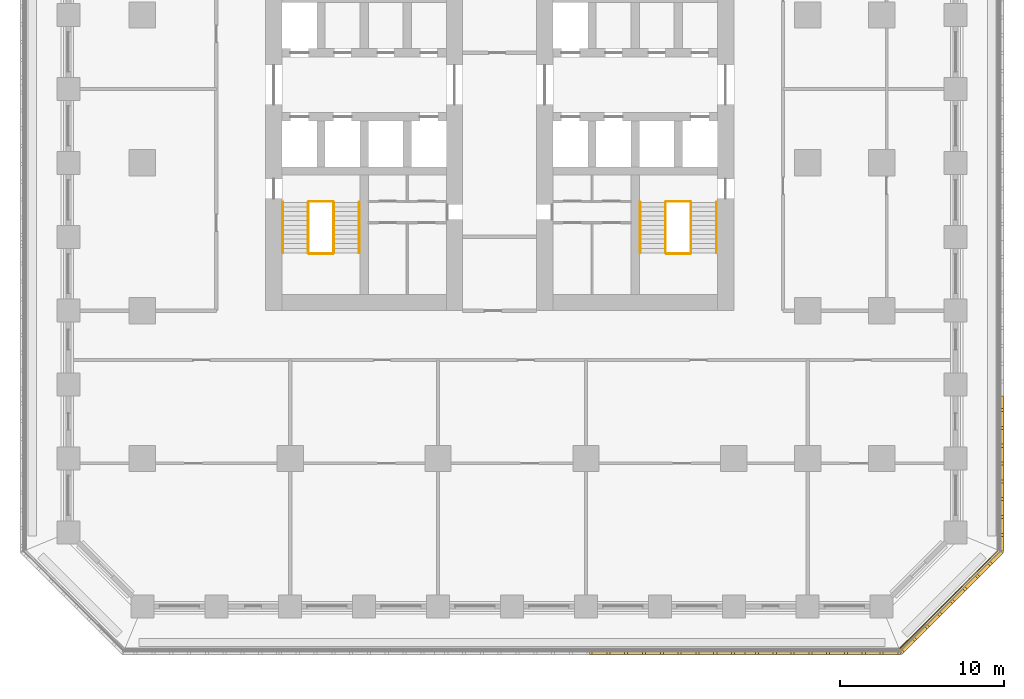
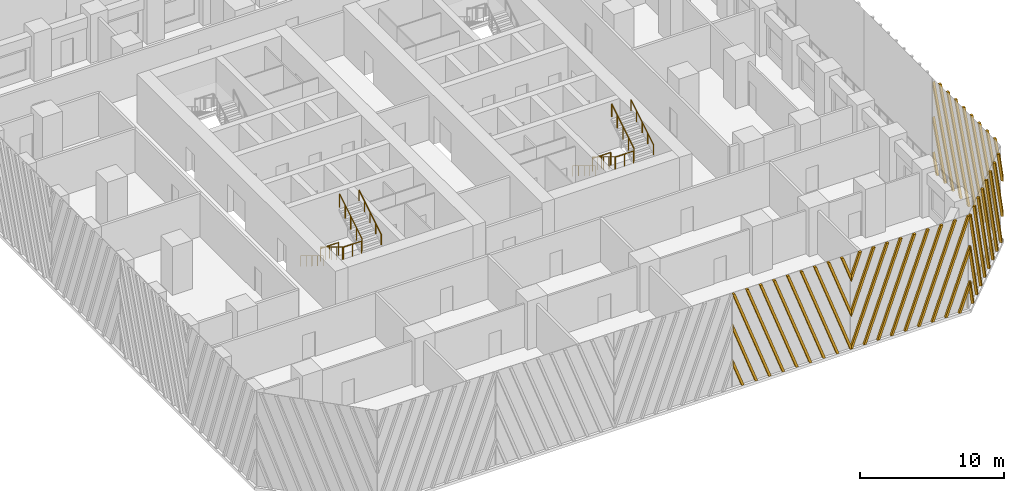
# One storey, part 10 of 14: 13 railings, 4 shading devices.
"""IFC4 building model written with IfcOpenShell, lengths in metres."""

from ifc_helpers import new_model, si_unit, direction, frame, origin, origin_2d, place, context, subcontext, project, spatial, polyline, circle, outline, extrude, source, transform, mapped, material, type_object, element, save


model = new_model("IFC4")

# Units and contexts
model_context = context("Model", 3, precision=1e-05, world=origin(), true_north=direction((0.0, 1.0)))
body_context = subcontext(model_context, "Body", "Model", "MODEL_VIEW")
ifc_project = project(units=[si_unit("LENGTHUNIT", "METRE"), si_unit("AREAUNIT", "SQUARE_METRE"), si_unit("VOLUMEUNIT", "CUBIC_METRE"), si_unit("PLANEANGLEUNIT", "RADIAN"), si_unit("MASSUNIT", "GRAM", prefix="KILO")], contexts=[model_context])

# Site, building, storey
site_placement = place(None, origin())
site = spatial("IfcSite", under=ifc_project, at=site_placement, CompositionType="ELEMENT")
building_placement = place(site_placement, origin())
building = spatial("IfcBuilding", under=site, at=building_placement, Name="Corbel Stack Research Tower", CompositionType="ELEMENT")
storey_placement = place(building_placement, frame((0.0, 0.0, 58.300048828125)))
storey = spatial("IfcBuildingStorey", under=building, at=storey_placement, Name="L13", CompositionType="ELEMENT", Elevation=58.300048828125)

# Railings
ifc_material_1 = material(Name="Steel S355", Category="steel")
railing_type_1 = type_object("IfcRailingType", Name="Stair guard 1100", PredefinedType="GUARDRAIL", material=ifc_material_1)
railing_1_placement = place(storey_placement, frame((-7.89990234375, -2.39990234375, 0.1708984375)))
element("IfcRailing", 1, at=railing_1_placement, inside=storey, type_object=railing_type_1, Name="L13 ST-W1 stair guard 1", PredefinedType="GUARDRAIL", context=body_context, shape_type="SweptSolid", body=[
    extrude(circle(Radius=0.02392578125, at=origin_2d()), frame((0.0, 0.0, 1.076171875), z_axis=(0.0, -0.853666305674, 0.52082035152), x_axis=(1.0, 0.0, 0.0)), (0.0, 0.0, 1.0), 3.608154296875),
    extrude(circle(Radius=0.02099609375, at=origin_2d()), origin(), (0.0, 0.0, 1.0), 1.052001953125),
    extrude(circle(Radius=0.02099609375, at=origin_2d()), frame((0.0, -0.77001953125, 0.4697265625)), (0.0, 0.0, 1.0), 1.052001953125),
    extrude(circle(Radius=0.02099609375, at=origin_2d()), frame((0.0, -1.5400390625, 0.939453125)), (0.0, 0.0, 1.0), 1.052001953125),
    extrude(circle(Radius=0.02099609375, at=origin_2d()), frame((0.0, -2.31005859375, 1.409423828125)), (0.0, 0.0, 1.0), 1.052001953125),
    extrude(circle(Radius=0.02099609375, at=origin_2d()), frame((0.0, -3.080078125, 1.879150390625)), (0.0, 0.0, 1.0), 1.052001953125),
])
railing_2_placement = place(storey_placement, frame((-7.85009765625, -5.530029296875, 2.050048828125)))
element("IfcRailing", 2, at=railing_2_placement, inside=storey, type_object=railing_type_1, Name="L13 ST-W1 stair guard 2", PredefinedType="GUARDRAIL", context=body_context, shape_type="SweptSolid", body=[
    extrude(circle(Radius=0.02392578125, at=origin_2d()), frame((0.0, 0.0, 1.076171875), z_axis=(1.0, 0.0, 0.0), x_axis=(0.0, 1.0, 0.0)), (0.0, 0.0, 1.0), 1.4501953125),
    extrude(circle(Radius=0.02099609375, at=origin_2d()), origin(), (0.0, 0.0, 1.0), 1.052001953125),
    extrude(circle(Radius=0.02099609375, at=origin_2d()), frame((0.72509765625, 0.0, 0.0)), (0.0, 0.0, 1.0), 1.052001953125),
    extrude(circle(Radius=0.02099609375, at=origin_2d()), frame((1.4501953125, 0.0, 0.0)), (0.0, 0.0, 1.0), 1.052001953125),
])
railing_3_placement = place(storey_placement, frame((-6.35009765625, -5.47998046875, 2.220703125)))
element("IfcRailing", 3, at=railing_3_placement, inside=storey, type_object=railing_type_1, Name="L13 ST-W1 stair guard 3", PredefinedType="GUARDRAIL", context=body_context, shape_type="SweptSolid", body=[
    extrude(circle(Radius=0.02392578125, at=origin_2d()), frame((0.0, 0.0, 1.076171875), z_axis=(0.0, 0.853666305674, 0.52082035152), x_axis=(-1.0, 0.0, 0.0)), (0.0, 0.0, 1.0), 3.608154296875),
    extrude(circle(Radius=0.02099609375, at=origin_2d()), origin(), (0.0, 0.0, 1.0), 1.052001953125),
    extrude(circle(Radius=0.02099609375, at=origin_2d()), frame((0.0, 0.77001953125, 0.4697265625)), (0.0, 0.0, 1.0), 1.052001953125),
    extrude(circle(Radius=0.02099609375, at=origin_2d()), frame((0.0, 1.5400390625, 0.939453125)), (0.0, 0.0, 1.0), 1.052001953125),
    extrude(circle(Radius=0.02099609375, at=origin_2d()), frame((0.0, 2.31005859375, 1.409423828125)), (0.0, 0.0, 1.0), 1.052001953125),
    extrude(circle(Radius=0.02099609375, at=origin_2d()), frame((0.0, 3.080078125, 1.879150390625)), (0.0, 0.0, 1.0), 1.052001953125),
])
railing_4_placement = place(storey_placement, frame((-7.85009765625, -2.35009765625, 0.0)))
element("IfcRailing", 4, at=railing_4_placement, inside=storey, type_object=railing_type_1, Name="L13 ST-W1 stair guard 4", PredefinedType="GUARDRAIL", context=body_context, shape_type="SweptSolid", body=[
    extrude(circle(Radius=0.02392578125, at=origin_2d()), frame((0.0, 0.0, 1.076171875), z_axis=(1.0, 0.0, 0.0), x_axis=(0.0, 1.0, 0.0)), (0.0, 0.0, 1.0), 1.4501953125),
    extrude(circle(Radius=0.02099609375, at=origin_2d()), origin(), (0.0, 0.0, 1.0), 1.052001953125),
    extrude(circle(Radius=0.02099609375, at=origin_2d()), frame((0.72509765625, 0.0, 0.0)), (0.0, 0.0, 1.0), 1.052001953125),
    extrude(circle(Radius=0.02099609375, at=origin_2d()), frame((1.4501953125, 0.0, 0.0)), (0.0, 0.0, 1.0), 1.052001953125),
])
railing_5_placement = place(storey_placement, frame((13.85009765625, -2.39990234375, 0.1708984375)))
element("IfcRailing", 5, at=railing_5_placement, inside=storey, type_object=railing_type_1, Name="L13 ST-E1 stair guard 1", PredefinedType="GUARDRAIL", context=body_context, shape_type="SweptSolid", body=[
    extrude(circle(Radius=0.02392578125, at=origin_2d()), frame((0.0, 0.0, 1.076171875), z_axis=(0.0, -0.853666305674, 0.52082035152), x_axis=(1.0, 0.0, 0.0)), (0.0, 0.0, 1.0), 3.608154296875),
    extrude(circle(Radius=0.02099609375, at=origin_2d()), origin(), (0.0, 0.0, 1.0), 1.052001953125),
    extrude(circle(Radius=0.02099609375, at=origin_2d()), frame((0.0, -0.77001953125, 0.4697265625)), (0.0, 0.0, 1.0), 1.052001953125),
    extrude(circle(Radius=0.02099609375, at=origin_2d()), frame((0.0, -1.5400390625, 0.939453125)), (0.0, 0.0, 1.0), 1.052001953125),
    extrude(circle(Radius=0.02099609375, at=origin_2d()), frame((0.0, -2.31005859375, 1.409423828125)), (0.0, 0.0, 1.0), 1.052001953125),
    extrude(circle(Radius=0.02099609375, at=origin_2d()), frame((0.0, -3.080078125, 1.879150390625)), (0.0, 0.0, 1.0), 1.052001953125),
])
railing_6_placement = place(storey_placement, frame((13.89990234375, -5.530029296875, 2.050048828125)))
element("IfcRailing", 6, at=railing_6_placement, inside=storey, type_object=railing_type_1, Name="L13 ST-E1 stair guard 2", PredefinedType="GUARDRAIL", context=body_context, shape_type="SweptSolid", body=[
    extrude(circle(Radius=0.02392578125, at=origin_2d()), frame((0.0, 0.0, 1.076171875), z_axis=(1.0, 0.0, 0.0), x_axis=(0.0, 1.0, 0.0)), (0.0, 0.0, 1.0), 1.4501953125),
    extrude(circle(Radius=0.02099609375, at=origin_2d()), origin(), (0.0, 0.0, 1.0), 1.052001953125),
    extrude(circle(Radius=0.02099609375, at=origin_2d()), frame((0.72509765625, 0.0, 0.0)), (0.0, 0.0, 1.0), 1.052001953125),
    extrude(circle(Radius=0.02099609375, at=origin_2d()), frame((1.4501953125, 0.0, 0.0)), (0.0, 0.0, 1.0), 1.052001953125),
])
railing_7_placement = place(storey_placement, frame((15.39990234375, -5.47998046875, 2.220703125)))
element("IfcRailing", 7, at=railing_7_placement, inside=storey, type_object=railing_type_1, Name="L13 ST-E1 stair guard 3", PredefinedType="GUARDRAIL", context=body_context, shape_type="SweptSolid", body=[
    extrude(circle(Radius=0.02392578125, at=origin_2d()), frame((0.0, 0.0, 1.076171875), z_axis=(0.0, 0.853666305674, 0.52082035152), x_axis=(-1.0, 0.0, 0.0)), (0.0, 0.0, 1.0), 3.608154296875),
    extrude(circle(Radius=0.02099609375, at=origin_2d()), origin(), (0.0, 0.0, 1.0), 1.052001953125),
    extrude(circle(Radius=0.02099609375, at=origin_2d()), frame((0.0, 0.77001953125, 0.4697265625)), (0.0, 0.0, 1.0), 1.052001953125),
    extrude(circle(Radius=0.02099609375, at=origin_2d()), frame((0.0, 1.5400390625, 0.939453125)), (0.0, 0.0, 1.0), 1.052001953125),
    extrude(circle(Radius=0.02099609375, at=origin_2d()), frame((0.0, 2.31005859375, 1.409423828125)), (0.0, 0.0, 1.0), 1.052001953125),
    extrude(circle(Radius=0.02099609375, at=origin_2d()), frame((0.0, 3.080078125, 1.879150390625)), (0.0, 0.0, 1.0), 1.052001953125),
])
railing_8_placement = place(storey_placement, frame((13.89990234375, -2.35009765625, 0.0)))
element("IfcRailing", 8, at=railing_8_placement, inside=storey, type_object=railing_type_1, Name="L13 ST-E1 stair guard 4", PredefinedType="GUARDRAIL", context=body_context, shape_type="SweptSolid", body=[
    extrude(circle(Radius=0.02392578125, at=origin_2d()), frame((0.0, 0.0, 1.076171875), z_axis=(1.0, 0.0, 0.0), x_axis=(0.0, 1.0, 0.0)), (0.0, 0.0, 1.0), 1.4501953125),
    extrude(circle(Radius=0.02099609375, at=origin_2d()), origin(), (0.0, 0.0, 1.0), 1.052001953125),
    extrude(circle(Radius=0.02099609375, at=origin_2d()), frame((0.72509765625, 0.0, 0.0)), (0.0, 0.0, 1.0), 1.052001953125),
    extrude(circle(Radius=0.02099609375, at=origin_2d()), frame((1.4501953125, 0.0, 0.0)), (0.0, 0.0, 1.0), 1.052001953125),
])
ifc_material_2 = material(Name="Steel S355", Category="steel")
railing_type_2 = type_object("IfcRailingType", Name="Stair handrail 900", PredefinedType="HANDRAIL", material=ifc_material_2)
railing_9_placement = place(storey_placement, frame((-9.449951171875, -2.39990234375, 0.1708984375)))
element("IfcRailing", 9, at=railing_9_placement, inside=storey, type_object=railing_type_2, Name="L13 ST-W1 stair handrail 1", PredefinedType="HANDRAIL", context=body_context, shape_type="SweptSolid", body=[
    extrude(circle(Radius=0.02392578125, at=origin_2d()), frame((0.0, 0.0, 0.8759765625), z_axis=(0.0, -0.853666305674, 0.52082035152), x_axis=(1.0, 0.0, 0.0)), (0.0, 0.0, 1.0), 3.608154296875),
    extrude(circle(Radius=0.02099609375, at=origin_2d()), origin(), (0.0, 0.0, 1.0), 0.851806640625),
    extrude(circle(Radius=0.02099609375, at=origin_2d()), frame((0.0, -0.77001953125, 0.4697265625)), (0.0, 0.0, 1.0), 0.851806640625),
    extrude(circle(Radius=0.02099609375, at=origin_2d()), frame((0.0, -1.5400390625, 0.939453125)), (0.0, 0.0, 1.0), 0.851806640625),
    extrude(circle(Radius=0.02099609375, at=origin_2d()), frame((0.0, -2.31005859375, 1.409423828125)), (0.0, 0.0, 1.0), 0.851806640625),
    extrude(circle(Radius=0.02099609375, at=origin_2d()), frame((0.0, -3.080078125, 1.879150390625)), (0.0, 0.0, 1.0), 0.851806640625),
])
railing_10_placement = place(storey_placement, frame((-4.800048828125, -5.47998046875, 2.220703125)))
element("IfcRailing", 10, at=railing_10_placement, inside=storey, type_object=railing_type_2, Name="L13 ST-W1 stair handrail 2", PredefinedType="HANDRAIL", context=body_context, shape_type="SweptSolid", body=[
    extrude(circle(Radius=0.02392578125, at=origin_2d()), frame((0.0, 0.0, 0.8759765625), z_axis=(0.0, 0.853666305674, 0.52082035152), x_axis=(-1.0, 0.0, 0.0)), (0.0, 0.0, 1.0), 3.608154296875),
    extrude(circle(Radius=0.02099609375, at=origin_2d()), origin(), (0.0, 0.0, 1.0), 0.851806640625),
    extrude(circle(Radius=0.02099609375, at=origin_2d()), frame((0.0, 0.77001953125, 0.4697265625)), (0.0, 0.0, 1.0), 0.851806640625),
    extrude(circle(Radius=0.02099609375, at=origin_2d()), frame((0.0, 1.5400390625, 0.939453125)), (0.0, 0.0, 1.0), 0.851806640625),
    extrude(circle(Radius=0.02099609375, at=origin_2d()), frame((0.0, 2.31005859375, 1.409423828125)), (0.0, 0.0, 1.0), 0.851806640625),
    extrude(circle(Radius=0.02099609375, at=origin_2d()), frame((0.0, 3.080078125, 1.879150390625)), (0.0, 0.0, 1.0), 0.851806640625),
])
railing_11_placement = place(storey_placement, frame((12.300048828125, -2.39990234375, 0.1708984375)))
element("IfcRailing", 11, at=railing_11_placement, inside=storey, type_object=railing_type_2, Name="L13 ST-E1 stair handrail 1", PredefinedType="HANDRAIL", context=body_context, shape_type="SweptSolid", body=[
    extrude(circle(Radius=0.02392578125, at=origin_2d()), frame((0.0, 0.0, 0.8759765625), z_axis=(0.0, -0.853666305674, 0.52082035152), x_axis=(1.0, 0.0, 0.0)), (0.0, 0.0, 1.0), 3.608154296875),
    extrude(circle(Radius=0.02099609375, at=origin_2d()), origin(), (0.0, 0.0, 1.0), 0.851806640625),
    extrude(circle(Radius=0.02099609375, at=origin_2d()), frame((0.0, -0.77001953125, 0.4697265625)), (0.0, 0.0, 1.0), 0.851806640625),
    extrude(circle(Radius=0.02099609375, at=origin_2d()), frame((0.0, -1.5400390625, 0.939453125)), (0.0, 0.0, 1.0), 0.851806640625),
    extrude(circle(Radius=0.02099609375, at=origin_2d()), frame((0.0, -2.31005859375, 1.409423828125)), (0.0, 0.0, 1.0), 0.851806640625),
    extrude(circle(Radius=0.02099609375, at=origin_2d()), frame((0.0, -3.080078125, 1.879150390625)), (0.0, 0.0, 1.0), 0.851806640625),
])
railing_12_placement = place(storey_placement, frame((16.949951171875, -5.47998046875, 2.220703125)))
element("IfcRailing", 12, at=railing_12_placement, inside=storey, type_object=railing_type_2, Name="L13 ST-E1 stair handrail 2", PredefinedType="HANDRAIL", context=body_context, shape_type="SweptSolid", body=[
    extrude(circle(Radius=0.02392578125, at=origin_2d()), frame((0.0, 0.0, 0.8759765625), z_axis=(0.0, 0.853666305674, 0.52082035152), x_axis=(-1.0, 0.0, 0.0)), (0.0, 0.0, 1.0), 3.608154296875),
    extrude(circle(Radius=0.02099609375, at=origin_2d()), origin(), (0.0, 0.0, 1.0), 0.851806640625),
    extrude(circle(Radius=0.02099609375, at=origin_2d()), frame((0.0, 0.77001953125, 0.4697265625)), (0.0, 0.0, 1.0), 0.851806640625),
    extrude(circle(Radius=0.02099609375, at=origin_2d()), frame((0.0, 1.5400390625, 0.939453125)), (0.0, 0.0, 1.0), 0.851806640625),
    extrude(circle(Radius=0.02099609375, at=origin_2d()), frame((0.0, 2.31005859375, 1.409423828125)), (0.0, 0.0, 1.0), 0.851806640625),
    extrude(circle(Radius=0.02099609375, at=origin_2d()), frame((0.0, 3.080078125, 1.879150390625)), (0.0, 0.0, 1.0), 0.851806640625),
])
ifc_material_3 = material(Name="Powder-coated steel guard", Category="steel")
railing_type_3 = type_object("IfcRailingType", Name="Steel and glass guard 1100", PredefinedType="GUARDRAIL", material=ifc_material_3)
railing_13_placement = place(storey_placement, frame((28.127685546875, -29.54931640625, 0.0)))
element("IfcRailing", 13, at=railing_13_placement, inside=storey, type_object=railing_type_3, Name="Loggia guard L13 SE", PredefinedType="GUARDRAIL", context=body_context, shape_type="SweptSolid", body=[
    extrude(circle(Radius=0.02392578125, at=origin_2d()), frame((0.0, 0.0, 1.076171875), z_axis=(0.707106781187, 0.707106781187, 0.0), x_axis=(-0.707106781187, 0.707106781187, 0.0)), (0.0, 0.0, 1.0), 8.37451171875),
    extrude(circle(Radius=0.02099609375, at=origin_2d()), origin(), (0.0, 0.0, 1.0), 1.052001953125),
    extrude(circle(Radius=0.02099609375, at=origin_2d()), frame((0.845947265625, 0.845947265625, 0.0)), (0.0, 0.0, 1.0), 1.052001953125),
    extrude(circle(Radius=0.02099609375, at=origin_2d()), frame((1.69189453125, 1.69189453125, 0.0)), (0.0, 0.0, 1.0), 1.052001953125),
    extrude(circle(Radius=0.02099609375, at=origin_2d()), frame((2.537841796875, 2.537841796875, 0.0)), (0.0, 0.0, 1.0), 1.052001953125),
    extrude(circle(Radius=0.02099609375, at=origin_2d()), frame((3.3837890625, 3.3837890625, 0.0)), (0.0, 0.0, 1.0), 1.052001953125),
    extrude(circle(Radius=0.02099609375, at=origin_2d()), frame((4.229736328125, 4.229736328125, 0.0)), (0.0, 0.0, 1.0), 1.052001953125),
    extrude(circle(Radius=0.02099609375, at=origin_2d()), frame((5.07568359375, 5.07568359375, 0.0)), (0.0, 0.0, 1.0), 1.052001953125),
    extrude(circle(Radius=0.02099609375, at=origin_2d()), frame((5.921630859375, 5.921630859375, 0.0)), (0.0, 0.0, 1.0), 1.052001953125),
])

# Shading devices
ifc_material_4 = material(Name="Precast terracotta", Category="masonry")
shading_device_type = type_object("IfcShadingDeviceType", Name="Terracotta screen panel", PredefinedType="USERDEFINED", material=ifc_material_4)
shared_shape_1 = source(origin(), body_context, "Body", "SweptSolid", [
    extrude(outline(polyline([(0.819091796875, 7.949951171875), (0.629150390625, 7.949951171875), (0.0, 6.22119140625), (0.0, 5.69921875), (0.819091796875, 7.949951171875)])), frame((0.0, 0.0, 0.0), z_axis=(0.0, -1.0, 0.0), x_axis=(1.0, 0.0, 0.0)), (0.0, 0.0, 1.0), 0.179931640625),
    extrude(outline(polyline([(1.90380859375, 7.949951171875), (1.7138671875, 7.949951171875), (0.0, 3.2412109375), (0.0, 2.718994140625), (1.90380859375, 7.949951171875)])), frame((0.0, 0.0, 0.0), z_axis=(0.0, -1.0, 0.0), x_axis=(1.0, 0.0, 0.0)), (0.0, 0.0, 1.0), 0.179931640625),
    extrude(outline(polyline([(0.094970703125, 0.0), (2.988525390625, 7.949951171875), (2.798583984375, 7.949951171875), (0.0, 0.260986328125), (0.0, 0.0), (0.094970703125, 0.0)])), frame((0.0, 0.0, 0.0), z_axis=(0.0, -1.0, 0.0), x_axis=(1.0, 0.0, 0.0)), (0.0, 0.0, 1.0), 0.179931640625),
    extrude(outline(polyline([(1.1796875, 0.0), (4.0732421875, 7.949951171875), (3.88330078125, 7.949951171875), (0.98974609375, 0.0), (1.1796875, 0.0)])), frame((0.0, 0.0, 0.0), z_axis=(0.0, -1.0, 0.0), x_axis=(1.0, 0.0, 0.0)), (0.0, 0.0, 1.0), 0.179931640625),
    extrude(outline(polyline([(2.264404296875, 0.0), (5.157958984375, 7.949951171875), (4.968017578125, 7.949951171875), (2.07421875, 0.0), (2.264404296875, 0.0)])), frame((0.0, 0.0, 0.0), z_axis=(0.0, -1.0, 0.0), x_axis=(1.0, 0.0, 0.0)), (0.0, 0.0, 1.0), 0.179931640625),
    extrude(outline(polyline([(3.34912109375, 0.0), (6.24267578125, 7.949951171875), (6.052490234375, 7.949951171875), (3.158935546875, 0.0), (3.34912109375, 0.0)])), frame((0.0, 0.0, 0.0), z_axis=(0.0, -1.0, 0.0), x_axis=(1.0, 0.0, 0.0)), (0.0, 0.0, 1.0), 0.179931640625),
    extrude(outline(polyline([(4.43359375, 0.0), (7.3271484375, 7.949951171875), (7.13720703125, 7.949951171875), (4.24365234375, 0.0), (4.43359375, 0.0)])), frame((0.0, 0.0, 0.0), z_axis=(0.0, -1.0, 0.0), x_axis=(1.0, 0.0, 0.0)), (0.0, 0.0, 1.0), 0.179931640625),
    extrude(outline(polyline([(5.518310546875, 0.0), (8.411865234375, 7.949951171875), (8.221923828125, 7.949951171875), (5.328369140625, 0.0), (5.518310546875, 0.0)])), frame((0.0, 0.0, 0.0), z_axis=(0.0, -1.0, 0.0), x_axis=(1.0, 0.0, 0.0)), (0.0, 0.0, 1.0), 0.179931640625),
    extrude(outline(polyline([(6.60302734375, 0.0), (9.45556640625, 7.837646484375), (9.45556640625, 7.949951171875), (9.306640625, 7.949951171875), (6.4130859375, 0.0), (6.60302734375, 0.0)])), frame((0.0, 0.0, 0.0), z_axis=(0.0, -1.0, 0.0), x_axis=(1.0, 0.0, 0.0)), (0.0, 0.0, 1.0), 0.179931640625),
    extrude(outline(polyline([(7.687744140625, 0.0), (9.45556640625, 4.857421875), (9.45556640625, 5.37939453125), (7.497802734375, 0.0), (7.687744140625, 0.0)])), frame((0.0, 0.0, 0.0), z_axis=(0.0, -1.0, 0.0), x_axis=(1.0, 0.0, 0.0)), (0.0, 0.0, 1.0), 0.179931640625),
    extrude(outline(polyline([(8.772216796875, 0.0), (9.45556640625, 1.87744140625), (9.45556640625, 2.3994140625), (8.582275390625, 0.0), (8.772216796875, 0.0)])), frame((0.0, 0.0, 0.0), z_axis=(0.0, -1.0, 0.0), x_axis=(1.0, 0.0, 0.0)), (0.0, 0.0, 1.0), 0.179931640625),
])
shading_device_1_placement = place(storey_placement, frame((18.68359375, -29.75, 0.0), z_axis=(0.0, 0.0, 1.0), x_axis=(1.0, 0.0, 0.0)))
element("IfcShadingDevice", 14, at=shading_device_1_placement, inside=storey, type_object=shading_device_type, Name="Terracotta screen L13 S5", ObjectType="SCREEN", PredefinedType="USERDEFINED", context=body_context, shape_type="MappedRepresentation", body=[
    mapped(shared_shape_1, transform((0.0, 0.0, 0.0))),
])
shared_shape_2 = source(origin(), body_context, "Body", "SweptSolid", [
    extrude(outline(polyline([(0.873291015625, 0.0), (0.0, 2.3994140625), (0.0, 1.87744140625), (0.683349609375, 0.0), (0.873291015625, 0.0)])), frame((0.0, 0.0, 0.0), z_axis=(0.0, -1.0, 0.0), x_axis=(1.0, 0.0, 0.0)), (0.0, 0.0, 1.0), 0.179931640625),
    extrude(outline(polyline([(1.9580078125, 0.0), (0.0, 5.37939453125), (0.0, 4.857421875), (1.76806640625, 0.0), (1.9580078125, 0.0)])), frame((0.0, 0.0, 0.0), z_axis=(0.0, -1.0, 0.0), x_axis=(1.0, 0.0, 0.0)), (0.0, 0.0, 1.0), 0.179931640625),
    extrude(outline(polyline([(3.04248046875, 0.0), (0.149169921875, 7.949951171875), (0.0, 7.949951171875), (0.0, 7.837646484375), (2.8525390625, 0.0), (3.04248046875, 0.0)])), frame((0.0, 0.0, 0.0), z_axis=(0.0, -1.0, 0.0), x_axis=(1.0, 0.0, 0.0)), (0.0, 0.0, 1.0), 0.179931640625),
    extrude(outline(polyline([(4.127197265625, 0.0), (1.233642578125, 7.949951171875), (1.043701171875, 7.949951171875), (3.937255859375, 0.0), (4.127197265625, 0.0)])), frame((0.0, 0.0, 0.0), z_axis=(0.0, -1.0, 0.0), x_axis=(1.0, 0.0, 0.0)), (0.0, 0.0, 1.0), 0.179931640625),
    extrude(outline(polyline([(5.2119140625, 0.0), (2.318359375, 7.949951171875), (2.12841796875, 7.949951171875), (5.02197265625, 0.0), (5.2119140625, 0.0)])), frame((0.0, 0.0, 0.0), z_axis=(0.0, -1.0, 0.0), x_axis=(1.0, 0.0, 0.0)), (0.0, 0.0, 1.0), 0.179931640625),
    extrude(outline(polyline([(6.296630859375, 0.0), (3.403076171875, 7.949951171875), (3.213134765625, 7.949951171875), (6.106689453125, 0.0), (6.296630859375, 0.0)])), frame((0.0, 0.0, 0.0), z_axis=(0.0, -1.0, 0.0), x_axis=(1.0, 0.0, 0.0)), (0.0, 0.0, 1.0), 0.179931640625),
    extrude(outline(polyline([(7.38134765625, 0.0), (4.48779296875, 7.949951171875), (4.297607421875, 7.949951171875), (7.19140625, 0.0), (7.38134765625, 0.0)])), frame((0.0, 0.0, 0.0), z_axis=(0.0, -1.0, 0.0), x_axis=(1.0, 0.0, 0.0)), (0.0, 0.0, 1.0), 0.179931640625),
    extrude(outline(polyline([(8.466064453125, 0.0), (5.572509765625, 7.949951171875), (5.38232421875, 7.949951171875), (8.27587890625, 0.0), (8.466064453125, 0.0)])), frame((0.0, 0.0, 0.0), z_axis=(0.0, -1.0, 0.0), x_axis=(1.0, 0.0, 0.0)), (0.0, 0.0, 1.0), 0.179931640625),
    extrude(outline(polyline([(9.45556640625, 0.0), (9.45556640625, 0.260986328125), (6.656982421875, 7.949951171875), (6.467041015625, 7.949951171875), (9.360595703125, 0.0), (9.45556640625, 0.0)])), frame((0.0, 0.0, 0.0), z_axis=(0.0, -1.0, 0.0), x_axis=(1.0, 0.0, 0.0)), (0.0, 0.0, 1.0), 0.179931640625),
    extrude(outline(polyline([(7.74169921875, 7.949951171875), (7.5517578125, 7.949951171875), (9.45556640625, 2.718994140625), (9.45556640625, 3.2412109375), (7.74169921875, 7.949951171875)])), frame((0.0, 0.0, 0.0), z_axis=(0.0, -1.0, 0.0), x_axis=(1.0, 0.0, 0.0)), (0.0, 0.0, 1.0), 0.179931640625),
    extrude(outline(polyline([(8.826416015625, 7.949951171875), (8.636474609375, 7.949951171875), (9.45556640625, 5.69921875), (9.45556640625, 6.22119140625), (8.826416015625, 7.949951171875)])), frame((0.0, 0.0, 0.0), z_axis=(0.0, -1.0, 0.0), x_axis=(1.0, 0.0, 0.0)), (0.0, 0.0, 1.0), 0.179931640625),
])
shading_device_2_placement = place(storey_placement, frame((9.227783203125, -29.75, 0.0), z_axis=(0.0, 0.0, 1.0), x_axis=(1.0, 0.0, 0.0)))
element("IfcShadingDevice", 15, at=shading_device_2_placement, inside=storey, type_object=shading_device_type, Name="Terracotta screen L13 S4", ObjectType="SCREEN", PredefinedType="USERDEFINED", context=body_context, shape_type="MappedRepresentation", body=[
    mapped(shared_shape_2, transform((0.0, 0.0, 0.0))),
])
shared_shape_3 = source(origin(), body_context, "Body", "SweptSolid", [
    extrude(outline(polyline([(1.09033203125, 7.949951171875), (0.900390625, 7.949951171875), (0.0, 5.476318359375), (0.0, 4.9541015625), (1.09033203125, 7.949951171875)])), frame((0.0, 0.0, 0.0), z_axis=(0.0, -1.0, 0.0), x_axis=(1.0, 0.0, 0.0)), (0.0, 0.0, 1.0), 0.179931640625),
    extrude(outline(polyline([(2.175048828125, 7.949951171875), (1.985107421875, 7.949951171875), (0.0, 2.49609375), (0.0, 1.97412109375), (2.175048828125, 7.949951171875)])), frame((0.0, 0.0, 0.0), z_axis=(0.0, -1.0, 0.0), x_axis=(1.0, 0.0, 0.0)), (0.0, 0.0, 1.0), 0.179931640625),
    extrude(outline(polyline([(0.3662109375, 0.0), (3.259765625, 7.949951171875), (3.069580078125, 7.949951171875), (0.17626953125, 0.0), (0.3662109375, 0.0)])), frame((0.0, 0.0, 0.0), z_axis=(0.0, -1.0, 0.0), x_axis=(1.0, 0.0, 0.0)), (0.0, 0.0, 1.0), 0.179931640625),
    extrude(outline(polyline([(1.45068359375, 0.0), (4.344482421875, 7.949951171875), (4.154296875, 7.949951171875), (1.2607421875, 0.0), (1.45068359375, 0.0)])), frame((0.0, 0.0, 0.0), z_axis=(0.0, -1.0, 0.0), x_axis=(1.0, 0.0, 0.0)), (0.0, 0.0, 1.0), 0.179931640625),
    extrude(outline(polyline([(2.535400390625, 0.0), (5.42919921875, 7.949951171875), (5.239013671875, 7.949951171875), (2.345458984375, 0.0), (2.535400390625, 0.0)])), frame((0.0, 0.0, 0.0), z_axis=(0.0, -1.0, 0.0), x_axis=(1.0, 0.0, 0.0)), (0.0, 0.0, 1.0), 0.179931640625),
    extrude(outline(polyline([(3.6201171875, 0.0), (6.513671875, 7.949951171875), (6.32373046875, 7.949951171875), (3.43017578125, 0.0), (3.6201171875, 0.0)])), frame((0.0, 0.0, 0.0), z_axis=(0.0, -1.0, 0.0), x_axis=(1.0, 0.0, 0.0)), (0.0, 0.0, 1.0), 0.179931640625),
    extrude(outline(polyline([(4.704833984375, 0.0), (7.598388671875, 7.949951171875), (7.408447265625, 7.949951171875), (4.514892578125, 0.0), (4.704833984375, 0.0)])), frame((0.0, 0.0, 0.0), z_axis=(0.0, -1.0, 0.0), x_axis=(1.0, 0.0, 0.0)), (0.0, 0.0, 1.0), 0.179931640625),
    extrude(outline(polyline([(5.78955078125, 0.0), (8.68310546875, 7.949951171875), (8.4931640625, 7.949951171875), (5.599609375, 0.0), (5.78955078125, 0.0)])), frame((0.0, 0.0, 0.0), z_axis=(0.0, -1.0, 0.0), x_axis=(1.0, 0.0, 0.0)), (0.0, 0.0, 1.0), 0.179931640625),
    extrude(outline(polyline([(6.874267578125, 0.0), (9.45556640625, 7.092529296875), (9.45556640625, 7.614501953125), (6.68408203125, 0.0), (6.874267578125, 0.0)])), frame((0.0, 0.0, 0.0), z_axis=(0.0, -1.0, 0.0), x_axis=(1.0, 0.0, 0.0)), (0.0, 0.0, 1.0), 0.179931640625),
    extrude(outline(polyline([(7.958740234375, 0.0), (9.45556640625, 4.1123046875), (9.45556640625, 4.634521484375), (7.768798828125, 0.0), (7.958740234375, 0.0)])), frame((0.0, 0.0, 0.0), z_axis=(0.0, -1.0, 0.0), x_axis=(1.0, 0.0, 0.0)), (0.0, 0.0, 1.0), 0.179931640625),
    extrude(outline(polyline([(9.04345703125, 0.0), (9.45556640625, 1.13232421875), (9.45556640625, 1.654296875), (8.853515625, 0.0), (9.04345703125, 0.0)])), frame((0.0, 0.0, 0.0), z_axis=(0.0, -1.0, 0.0), x_axis=(1.0, 0.0, 0.0)), (0.0, 0.0, 1.0), 0.179931640625),
])
shading_device_3_placement = place(storey_placement, frame((34.25, -23.63916015625, 0.0), z_axis=(0.0, 0.0, 1.0), x_axis=(0.0, 1.0, 0.0)))
element("IfcShadingDevice", 16, at=shading_device_3_placement, inside=storey, type_object=shading_device_type, Name="Terracotta screen L13 E1", ObjectType="SCREEN", PredefinedType="USERDEFINED", context=body_context, shape_type="MappedRepresentation", body=[
    mapped(shared_shape_3, transform((0.0, 0.0, 0.0))),
])
shared_shape_4 = source(origin(), body_context, "Body", "SweptSolid", [
    extrude(outline(polyline([(0.873291015625, 0.0), (0.0, 2.3994140625), (0.0, 1.87744140625), (0.683349609375, 0.0), (0.873291015625, 0.0)])), frame((0.0, 0.0, 0.0), z_axis=(0.0, -1.0, 0.0), x_axis=(1.0, 0.0, 0.0)), (0.0, 0.0, 1.0), 0.179931640625),
    extrude(outline(polyline([(1.9580078125, 0.0), (0.0, 5.37939453125), (0.0, 4.857421875), (1.76806640625, 0.0), (1.9580078125, 0.0)])), frame((0.0, 0.0, 0.0), z_axis=(0.0, -1.0, 0.0), x_axis=(1.0, 0.0, 0.0)), (0.0, 0.0, 1.0), 0.179931640625),
    extrude(outline(polyline([(3.04248046875, 0.0), (0.149169921875, 7.949951171875), (0.0, 7.949951171875), (0.0, 7.837646484375), (2.8525390625, 0.0), (3.04248046875, 0.0)])), frame((0.0, 0.0, 0.0), z_axis=(0.0, -1.0, 0.0), x_axis=(1.0, 0.0, 0.0)), (0.0, 0.0, 1.0), 0.179931640625),
    extrude(outline(polyline([(4.127197265625, 0.0), (1.233642578125, 7.949951171875), (1.043701171875, 7.949951171875), (3.937255859375, 0.0), (4.127197265625, 0.0)])), frame((0.0, 0.0, 0.0), z_axis=(0.0, -1.0, 0.0), x_axis=(1.0, 0.0, 0.0)), (0.0, 0.0, 1.0), 0.179931640625),
    extrude(outline(polyline([(5.2119140625, 0.0), (2.318359375, 7.949951171875), (2.12841796875, 7.949951171875), (5.02197265625, 0.0), (5.2119140625, 0.0)])), frame((0.0, 0.0, 0.0), z_axis=(0.0, -1.0, 0.0), x_axis=(1.0, 0.0, 0.0)), (0.0, 0.0, 1.0), 0.179931640625),
    extrude(outline(polyline([(6.296630859375, 0.0), (3.403076171875, 7.949951171875), (3.213134765625, 7.949951171875), (6.106689453125, 0.0), (6.296630859375, 0.0)])), frame((0.0, 0.0, 0.0), z_axis=(0.0, -1.0, 0.0), x_axis=(1.0, 0.0, 0.0)), (0.0, 0.0, 1.0), 0.179931640625),
    extrude(outline(polyline([(7.38134765625, 0.0), (4.48779296875, 7.949951171875), (4.297607421875, 7.949951171875), (7.19140625, 0.0), (7.38134765625, 0.0)])), frame((0.0, 0.0, 0.0), z_axis=(0.0, -1.0, 0.0), x_axis=(1.0, 0.0, 0.0)), (0.0, 0.0, 1.0), 0.179931640625),
    extrude(outline(polyline([(8.466064453125, 0.0), (5.572509765625, 7.949951171875), (5.38232421875, 7.949951171875), (8.27587890625, 0.0), (8.466064453125, 0.0)])), frame((0.0, 0.0, 0.0), z_axis=(0.0, -1.0, 0.0), x_axis=(1.0, 0.0, 0.0)), (0.0, 0.0, 1.0), 0.179931640625),
    extrude(outline(polyline([(6.656982421875, 7.949951171875), (6.467041015625, 7.949951171875), (8.64208984375, 1.97412109375), (8.64208984375, 2.49609375), (6.656982421875, 7.949951171875)])), frame((0.0, 0.0, 0.0), z_axis=(0.0, -1.0, 0.0), x_axis=(1.0, 0.0, 0.0)), (0.0, 0.0, 1.0), 0.179931640625),
    extrude(outline(polyline([(7.74169921875, 7.949951171875), (7.5517578125, 7.949951171875), (8.64208984375, 4.9541015625), (8.64208984375, 5.476318359375), (7.74169921875, 7.949951171875)])), frame((0.0, 0.0, 0.0), z_axis=(0.0, -1.0, 0.0), x_axis=(1.0, 0.0, 0.0)), (0.0, 0.0, 1.0), 0.179931640625),
])
shading_device_4_placement = place(storey_placement, frame((28.13916015625, -29.75, 0.0), z_axis=(0.0, 0.0, 1.0), x_axis=(0.707106781187, 0.707106781187, 0.0)))
element("IfcShadingDevice", 17, at=shading_device_4_placement, inside=storey, type_object=shading_device_type, Name="Terracotta screen L13 SE1", ObjectType="SCREEN", PredefinedType="USERDEFINED", context=body_context, shape_type="MappedRepresentation", body=[
    mapped(shared_shape_4, transform((0.0, 0.0, 0.0))),
])

save(model, "model.ifc")
